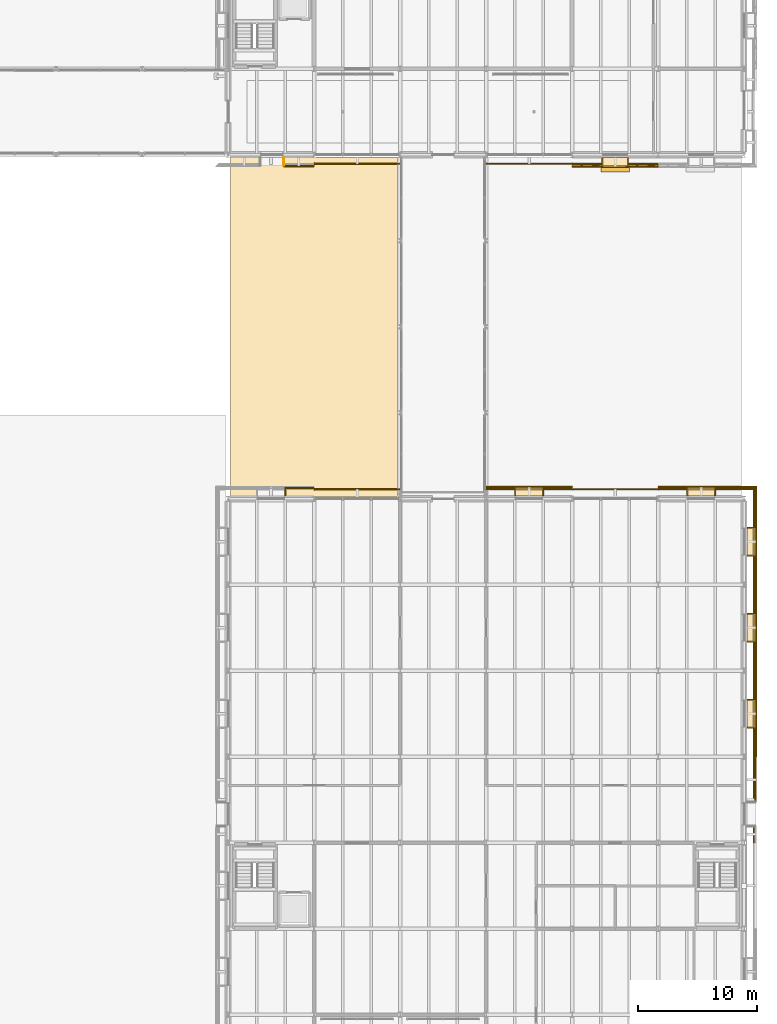
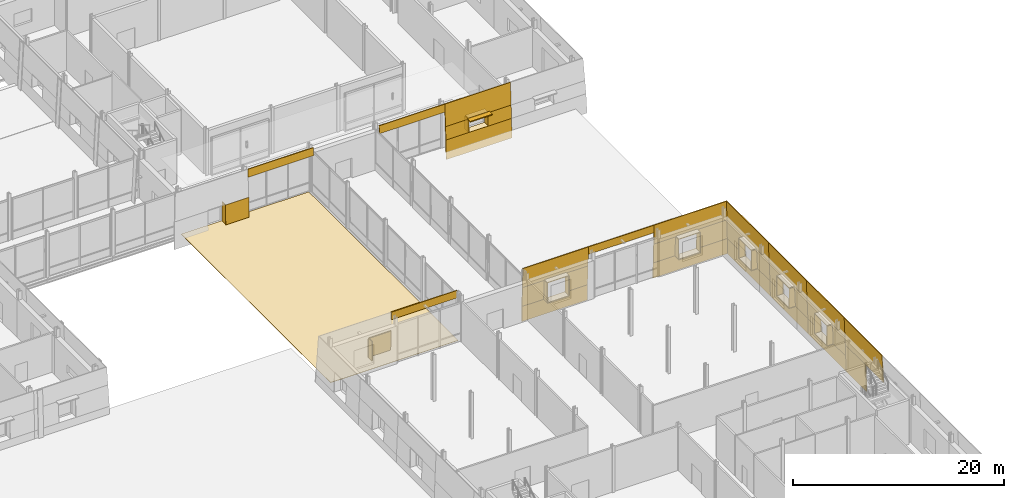
# One storey, part 117 of 120: 59 coverings, 1 shading device.
"""IFC4 building model written with IfcOpenShell, lengths in metres."""

from ifc_helpers import new_model, si_unit, direction, frame, origin, origin_2d, place, context, subcontext, project, spatial, polyline, rectangle, outline, extrude, material, layer, layer_set, type_object, element, save


model = new_model("IFC4")

# Units and contexts
model_context = context("Model", 3, precision=1e-05, world=origin(), true_north=direction((0.0, 1.0)))
body_context = subcontext(model_context, "Body", "Model", "MODEL_VIEW")
ifc_project = project(units=[si_unit("LENGTHUNIT", "METRE"), si_unit("AREAUNIT", "SQUARE_METRE"), si_unit("VOLUMEUNIT", "CUBIC_METRE"), si_unit("PLANEANGLEUNIT", "RADIAN"), si_unit("MASSUNIT", "GRAM", prefix="KILO")], contexts=[model_context])

# Site, building, storey
site_placement = place(None, origin())
site = spatial("IfcSite", under=ifc_project, at=site_placement, CompositionType="ELEMENT")
building_placement = place(site_placement, origin())
building = spatial("IfcBuilding", under=site, at=building_placement, Name="Narikvali Park Central Library", CompositionType="ELEMENT")
storey_placement = place(building_placement, origin())
storey = spatial("IfcBuildingStorey", under=building, at=storey_placement, Name="L00", CompositionType="ELEMENT", Elevation=0.0)

# Coverings
ifc_material_1 = material(Name="White Honed Limestone Cladding", Category="masonry")
ifc_layer_1 = layer(ifc_material_1, 0.0849609375, Name="White Honed Limestone Cladding")
ifc_layer_set_1 = layer_set([ifc_layer_1], Name="White Honed Limestone Cladding")
covering_type_1 = type_object("IfcCoveringType", Name="Battered White Limestone Facade Cladding Panel", PredefinedType="CLADDING", material=ifc_layer_set_1)
covering_1_placement = place(storey_placement, frame((127.037109375, 78.159912109375, -0.8798828125), z_axis=(0.0, -0.999301161828, 0.037378977647), x_axis=(1.0, 0.0, 0.0)))
element("IfcCovering", 1, at=covering_1_placement, inside=storey, type_object=covering_type_1, Name="V3 L00 S Battered Portal Pier R B01", PredefinedType="CLADDING", context=body_context, shape_type="SweptSolid", body=[
    extrude(outline(polyline([(0.0, 0.0), (2.56298828125, 0.0), (2.56298828125, 3.1220548579859955), (0.0, 3.1220548579859955), (0.0, 0.0)])), origin(), (0.0, 0.0, -1.0), 0.0849609375),
])
for number, where, z_axis, x_axis, name in (
    (2, (129.60009765625, 78.39453125, 4.5), (0.0, -0.998646123248, 0.052018463284), (1.0, 0.0, 0.0), "V3 L00 S Battered Limestone Spandrel Header B02"),
    (3, (144.0, 78.39453125, 4.5), (0.0, -0.998646123248, 0.052018463284), (1.0, 0.0, 0.0), "V3 L00 S Battered Limestone Spandrel Header B04"),
):
    element("IfcCovering", number, at=place(storey_placement, frame(where, z_axis=z_axis, x_axis=x_axis)), inside=storey, type_object=covering_type_1, Name=name, PredefinedType="CLADDING", context=body_context, shape_type="SweptSolid", body=[
        extrude(outline(polyline([(0.0, 0.0), (7.199951171875, 0.0), (7.199951171875, 0.9011223523538537), (0.0, 0.9011223523538537), (0.0, 0.0)])), origin(), (0.0, 0.0, -1.0), 0.0849609375),
    ])
covering_2_placement = place(storey_placement, frame((151.199951171875, 78.159912109375, -0.8798828125), z_axis=(0.0, -0.999499829874, 0.03162420088), x_axis=(1.0, 0.0, 0.0)))
element("IfcCovering", 4, at=covering_2_placement, inside=storey, type_object=covering_type_1, Name="V3 L00 S Battered Limestone Spandrel B05", PredefinedType="CLADDING", context=body_context, shape_type="SweptSolid", body=[
    extrude(outline(polyline([(0.0, 0.0), (7.199951171875, 0.0), (7.199951171875, 2.2310963965151207), (0.0, 2.2310963965151207), (0.0, 0.0)])), origin(), (0.0, 0.0, -1.0), 0.0849609375),
])
covering_3_placement = place(storey_placement, frame((151.199951171875, 78.30859375, 2.85009765625), z_axis=(0.0, -0.998646209492, 0.052016807542), x_axis=(1.0, 0.0, 0.0)))
element("IfcCovering", 5, at=covering_3_placement, inside=storey, type_object=covering_type_1, Name="V3 L00 S Battered Limestone Lintel B05", PredefinedType="CLADDING", context=body_context, shape_type="SweptSolid", body=[
    extrude(outline(polyline([(0.0, 0.0), (7.199951171875, 0.0), (7.199951171875, 2.5532612683689897), (0.0, 2.5532612683689897), (0.0, 0.0)])), origin(), (0.0, 0.0, -1.0), 0.0849609375),
])
covering_4_placement = place(storey_placement, frame((151.199951171875, 78.23046875, 1.35009765625), z_axis=(0.0, -0.998646416446, 0.05201283419), x_axis=(1.0, 0.0, 0.0)))
element("IfcCovering", 6, at=covering_4_placement, inside=storey, type_object=covering_type_1, Name="V3 L00 S Battered Limestone Jamb Pier L B05", PredefinedType="CLADDING", context=body_context, shape_type="SweptSolid", body=[
    extrude(outline(polyline([(0.0, 0.0), (2.56005859375, 0.0), (2.56005859375, 1.5020331273394072), (0.0, 1.5020331273394072), (0.0, 0.0)])), origin(), (0.0, 0.0, -1.0), 0.0849609375),
])
covering_5_placement = place(storey_placement, frame((155.840087890625, 78.23046875, 1.35009765625), z_axis=(0.0, -0.998646416446, 0.05201283419), x_axis=(1.0, 0.0, 0.0)))
element("IfcCovering", 7, at=covering_5_placement, inside=storey, type_object=covering_type_1, Name="V3 L00 S Battered Limestone Jamb Pier R B05", PredefinedType="CLADDING", context=body_context, shape_type="SweptSolid", body=[
    extrude(outline(polyline([(0.0, 0.0), (2.559814453125, 0.0), (2.559814453125, 1.5020331273394074), (0.0, 1.5020331273394074), (0.0, 0.0)])), origin(), (0.0, 0.0, -1.0), 0.0849609375),
])
covering_6_placement = place(storey_placement, frame((166.639892578125, 24.9599609375, -0.8798828125), z_axis=(0.999569712805, 0.0, 0.029332392386), x_axis=(0.0, 1.0, 0.0)))
element("IfcCovering", 8, at=covering_6_placement, inside=storey, type_object=covering_type_1, Name="V6 L00 E Battered Portal Pier R B04", PredefinedType="CLADDING", context=body_context, shape_type="SweptSolid", body=[
    extrude(outline(polyline([(0.0, 0.0), (3.840087890625, 0.0), (3.840087890625, 3.1212160661813586), (0.0, 3.1212160661813586), (0.0, 0.0)])), origin(), (0.0, 0.0, -1.0), 0.0849609375),
])
covering_7_placement = place(storey_placement, frame((166.54833984375, 21.60009765625, 2.239990234375), z_axis=(0.9991626518, 0.0, 0.040914487016), x_axis=(0.0, 1.0, 0.0)))
element("IfcCovering", 9, at=covering_7_placement, inside=storey, type_object=covering_type_1, Name="V6 L00 E Battered Portal Header B04", PredefinedType="CLADDING", context=body_context, shape_type="SweptSolid", body=[
    extrude(outline(polyline([(0.0, 0.0), (7.199951171875, 0.0), (7.199951171875, 3.162560273527158), (0.0, 3.162560273527158), (0.0, 0.0)])), origin(), (0.0, 0.0, -1.0), 0.0849609375),
])
covering_8_placement = place(storey_placement, frame((166.639892578125, 28.800048828125, -0.8798828125), z_axis=(0.999788378597, 0.0, 0.020571777337), x_axis=(0.0, 1.0, 0.0)))
element("IfcCovering", 10, at=covering_8_placement, inside=storey, type_object=covering_type_1, Name="V6 L00 E Battered Limestone Spandrel B05", PredefinedType="CLADDING", context=body_context, shape_type="SweptSolid", body=[
    extrude(outline(polyline([(0.0, 0.0), (7.199951171875, 0.0), (7.199951171875, 1.7801618766042835), (0.0, 1.7801618766042835), (0.0, 0.0)])), origin(), (0.0, 0.0, -1.0), 0.0849609375),
])
covering_9_placement = place(storey_placement, frame((166.510986328125, 28.800048828125, 3.14990234375), z_axis=(0.999164352475, 0.0, 0.040872934124), x_axis=(0.0, 1.0, 0.0)))
element("IfcCovering", 11, at=covering_9_placement, inside=storey, type_object=covering_type_1, Name="V6 L00 E Battered Limestone Lintel B05", PredefinedType="CLADDING", context=body_context, shape_type="SweptSolid", body=[
    extrude(outline(polyline([(0.0, 0.0), (7.199951171875, 0.0), (7.199951171875, 2.2518817794363186), (0.0, 2.2518817794363186), (0.0, 0.0)])), origin(), (0.0, 0.0, -1.0), 0.0849609375),
])
for number, where, z_axis, x_axis, name in (
    (12, (166.603271484375, 28.800048828125, 0.89990234375), (0.999159919044, 0.0, 0.040981168555), (0.0, 1.0, 0.0), "V6 L00 E Battered Limestone Jamb Pier L B05"),
    (13, (166.603271484375, 33.5400390625, 0.89990234375), (0.999159919044, 0.0, 0.040981168555), (0.0, 1.0, 0.0), "V6 L00 E Battered Limestone Jamb Pier R B05"),
):
    element("IfcCovering", number, at=place(storey_placement, frame(where, z_axis=z_axis, x_axis=x_axis)), inside=storey, type_object=covering_type_1, Name=name, PredefinedType="CLADDING", context=body_context, shape_type="SweptSolid", body=[
        extrude(outline(polyline([(0.0, 0.0), (2.4599609375, 0.0), (2.4599609375, 2.2518917713922413), (0.0, 2.2518917713922413), (0.0, 0.0)])), origin(), (0.0, 0.0, -1.0), 0.0849609375),
    ])
covering_10_placement = place(storey_placement, frame((166.639892578125, 36.0, -0.8798828125), z_axis=(0.999788378597, 0.0, 0.020571777337), x_axis=(0.0, 1.0, 0.0)))
element("IfcCovering", 14, at=covering_10_placement, inside=storey, type_object=covering_type_1, Name="V6 L00 E Battered Limestone Spandrel B06", PredefinedType="CLADDING", context=body_context, shape_type="SweptSolid", body=[
    extrude(outline(polyline([(0.0, 0.0), (7.199951171875, 0.0), (7.199951171875, 1.7801618766042835), (0.0, 1.7801618766042835), (0.0, 0.0)])), origin(), (0.0, 0.0, -1.0), 0.0849609375),
])
covering_11_placement = place(storey_placement, frame((166.510986328125, 36.0, 3.14990234375), z_axis=(0.999164352475, 0.0, 0.040872934124), x_axis=(0.0, 1.0, 0.0)))
element("IfcCovering", 15, at=covering_11_placement, inside=storey, type_object=covering_type_1, Name="V6 L00 E Battered Limestone Lintel B06", PredefinedType="CLADDING", context=body_context, shape_type="SweptSolid", body=[
    extrude(outline(polyline([(0.0, 0.0), (7.199951171875, 0.0), (7.199951171875, 2.2518817794363186), (0.0, 2.2518817794363186), (0.0, 0.0)])), origin(), (0.0, 0.0, -1.0), 0.0849609375),
])
for number, where, z_axis, x_axis, name in (
    (16, (166.603271484375, 36.0, 0.89990234375), (0.999159919044, 0.0, 0.040981168555), (0.0, 1.0, 0.0), "V6 L00 E Battered Limestone Jamb Pier L B06"),
    (17, (166.603271484375, 40.739990234375, 0.89990234375), (0.999159919044, 0.0, 0.040981168555), (0.0, 1.0, 0.0), "V6 L00 E Battered Limestone Jamb Pier R B06"),
):
    element("IfcCovering", number, at=place(storey_placement, frame(where, z_axis=z_axis, x_axis=x_axis)), inside=storey, type_object=covering_type_1, Name=name, PredefinedType="CLADDING", context=body_context, shape_type="SweptSolid", body=[
        extrude(outline(polyline([(0.0, 0.0), (2.4599609375, 0.0), (2.4599609375, 2.2518917713922413), (0.0, 2.2518917713922413), (0.0, 0.0)])), origin(), (0.0, 0.0, -1.0), 0.0849609375),
    ])
covering_12_placement = place(storey_placement, frame((166.639892578125, 43.199951171875, -0.8798828125), z_axis=(0.999788378597, 0.0, 0.020571777337), x_axis=(0.0, 1.0, 0.0)))
element("IfcCovering", 18, at=covering_12_placement, inside=storey, type_object=covering_type_1, Name="V6 L00 E Battered Limestone Spandrel B07", PredefinedType="CLADDING", context=body_context, shape_type="SweptSolid", body=[
    extrude(outline(polyline([(0.0, 0.0), (8.155029296875, 0.0), (8.1181640625, 1.7801618766042833), (0.0, 1.7801618766042833), (0.0, 0.0)])), origin(), (0.0, 0.0, -1.0), 0.0849609375),
])
covering_13_placement = place(storey_placement, frame((166.510986328125, 43.199951171875, 3.14990234375), z_axis=(0.999164352475, 0.0, 0.040872934124), x_axis=(0.0, 1.0, 0.0)))
element("IfcCovering", 19, at=covering_13_placement, inside=storey, type_object=covering_type_1, Name="V6 L00 E Battered Limestone Lintel B07", PredefinedType="CLADDING", context=body_context, shape_type="SweptSolid", body=[
    extrude(outline(polyline([(0.0, 0.0), (8.026123046875, 0.0), (7.93408203125, 2.251881779436319), (0.0, 2.251881779436319), (0.0, 0.0)])), origin(), (0.0, 0.0, -1.0), 0.0849609375),
])
covering_14_placement = place(storey_placement, frame((166.603271484375, 43.199951171875, 0.89990234375), z_axis=(0.999159919044, 0.0, 0.040981168555), x_axis=(0.0, 1.0, 0.0)))
element("IfcCovering", 20, at=covering_14_placement, inside=storey, type_object=covering_type_1, Name="V6 L00 E Battered Limestone Jamb Pier L B07", PredefinedType="CLADDING", context=body_context, shape_type="SweptSolid", body=[
    extrude(outline(polyline([(0.0, 0.0), (2.4599609375, 0.0), (2.4599609375, 2.2518917713922413), (0.0, 2.2518917713922413), (0.0, 0.0)])), origin(), (0.0, 0.0, -1.0), 0.0849609375),
])
covering_15_placement = place(storey_placement, frame((166.603271484375, 47.93994140625, 0.89990234375), z_axis=(0.999159919044, 0.0, 0.040981168555), x_axis=(0.0, 1.0, 0.0)))
element("IfcCovering", 21, at=covering_15_placement, inside=storey, type_object=covering_type_1, Name="V6 L00 E Battered Limestone Jamb Pier R B07", PredefinedType="CLADDING", context=body_context, shape_type="SweptSolid", body=[
    extrude(outline(polyline([(0.0, 0.0), (3.378173828125, 0.0), (3.2861328125, 2.2518917713922413), (0.0, 2.2518917713922413), (0.0, 0.0)])), origin(), (0.0, 0.0, -1.0), 0.0849609375),
])
covering_16_placement = place(storey_placement, frame((166.639892578125, 51.43994140625, -0.8798828125), z_axis=(0.0, 0.999788378597, 0.020571777337), x_axis=(-1.0, 0.0, 0.0)))
element("IfcCovering", 22, at=covering_16_placement, inside=storey, type_object=covering_type_1, Name="V6 L00 N Battered Limestone Spandrel B01", PredefinedType="CLADDING", context=body_context, shape_type="SweptSolid", body=[
    extrude(outline(polyline([(0.0, 0.0), (8.239990234375, 0.0), (8.239990234375, 1.7801618766042833), (0.03662109375, 1.7801618766042833), (0.0, 0.0)])), origin(), (0.0, 0.0, -1.0), 0.0849609375),
])
covering_17_placement = place(storey_placement, frame((166.510986328125, 51.31103515625, 3.14990234375), z_axis=(0.0, 0.999164352475, 0.040872934124), x_axis=(-1.0, 0.0, 0.0)))
element("IfcCovering", 23, at=covering_17_placement, inside=storey, type_object=covering_type_1, Name="V6 L00 N Battered Limestone Lintel B01", PredefinedType="CLADDING", context=body_context, shape_type="SweptSolid", body=[
    extrude(outline(polyline([(0.0, 0.0), (8.111083984375, 0.0), (8.111083984375, 2.2518817794363186), (0.092041015625, 2.2518817794363186), (0.0, 0.0)])), origin(), (0.0, 0.0, -1.0), 0.0849609375),
])
covering_18_placement = place(storey_placement, frame((166.603271484375, 51.4033203125, 0.89990234375), z_axis=(0.0, 0.999159919044, 0.040981168555), x_axis=(-1.0, 0.0, 0.0)))
element("IfcCovering", 24, at=covering_18_placement, inside=storey, type_object=covering_type_1, Name="V6 L00 N Battered Limestone Jamb Pier L B01", PredefinedType="CLADDING", context=body_context, shape_type="SweptSolid", body=[
    extrude(outline(polyline([(0.0, 0.0), (3.46337890625, 0.0), (3.46337890625, 2.2518917713922413), (0.09228515625, 2.2518917713922413), (0.0, 0.0)])), origin(), (0.0, 0.0, -1.0), 0.0849609375),
])
covering_19_placement = place(storey_placement, frame((160.860107421875, 51.4033203125, 0.89990234375), z_axis=(0.0, 0.999159919044, 0.040981168555), x_axis=(-1.0, 0.0, 0.0)))
element("IfcCovering", 25, at=covering_19_placement, inside=storey, type_object=covering_type_1, Name="V6 L00 N Battered Limestone Jamb Pier R B01", PredefinedType="CLADDING", context=body_context, shape_type="SweptSolid", body=[
    extrude(outline(polyline([(0.0, 0.0), (2.460205078125, 0.0), (2.460205078125, 2.2518917713922413), (0.0, 2.2518917713922413), (0.0, 0.0)])), origin(), (0.0, 0.0, -1.0), 0.0849609375),
])
covering_20_placement = place(storey_placement, frame((158.39990234375, 51.255859375, 4.5), z_axis=(0.0, 0.999161955591, 0.04093148543), x_axis=(-1.0, 0.0, 0.0)))
element("IfcCovering", 26, at=covering_20_placement, inside=storey, type_object=covering_type_1, Name="V6 L00 N Battered Limestone Spandrel Header B02", PredefinedType="CLADDING", context=body_context, shape_type="SweptSolid", body=[
    extrude(outline(polyline([(0.0, 0.0), (7.199951171875, 0.0), (7.199951171875, 0.9006571344258962), (0.0, 0.9006571344258962), (0.0, 0.0)])), origin(), (0.0, 0.0, -1.0), 0.0849609375),
])
covering_21_placement = place(storey_placement, frame((151.199951171875, 51.43994140625, -0.8798828125), z_axis=(0.0, 0.999788378597, 0.020571777337), x_axis=(-1.0, 0.0, 0.0)))
element("IfcCovering", 27, at=covering_21_placement, inside=storey, type_object=covering_type_1, Name="V6 L00 N Battered Limestone Spandrel B03", PredefinedType="CLADDING", context=body_context, shape_type="SweptSolid", body=[
    extrude(outline(polyline([(0.0, 0.0), (7.199951171875, 0.0), (7.199951171875, 1.7801618766042835), (0.0, 1.7801618766042835), (0.0, 0.0)])), origin(), (0.0, 0.0, -1.0), 0.0849609375),
])
covering_22_placement = place(storey_placement, frame((151.199951171875, 51.31103515625, 3.14990234375), z_axis=(0.0, 0.999164352475, 0.040872934124), x_axis=(-1.0, 0.0, 0.0)))
element("IfcCovering", 28, at=covering_22_placement, inside=storey, type_object=covering_type_1, Name="V6 L00 N Battered Limestone Lintel B03", PredefinedType="CLADDING", context=body_context, shape_type="SweptSolid", body=[
    extrude(outline(polyline([(0.0, 0.0), (7.199951171875, 0.0), (7.199951171875, 2.2518817794363186), (0.0, 2.2518817794363186), (0.0, 0.0)])), origin(), (0.0, 0.0, -1.0), 0.0849609375),
])
for number, where, z_axis, x_axis, name in (
    (29, (151.199951171875, 51.4033203125, 0.89990234375), (0.0, 0.999159919044, 0.040981168555), (-1.0, 0.0, 0.0), "V6 L00 N Battered Limestone Jamb Pier L B03"),
    (30, (146.4599609375, 51.4033203125, 0.89990234375), (0.0, 0.999159919044, 0.040981168555), (-1.0, 0.0, 0.0), "V6 L00 N Battered Limestone Jamb Pier R B03"),
):
    element("IfcCovering", number, at=place(storey_placement, frame(where, z_axis=z_axis, x_axis=x_axis)), inside=storey, type_object=covering_type_1, Name=name, PredefinedType="CLADDING", context=body_context, shape_type="SweptSolid", body=[
        extrude(outline(polyline([(0.0, 0.0), (2.4599609375, 0.0), (2.4599609375, 2.2518917713922413), (0.0, 2.2518917713922413), (0.0, 0.0)])), origin(), (0.0, 0.0, -1.0), 0.0849609375),
    ])
covering_23_placement = place(storey_placement, frame((136.800048828125, 51.255859375, 4.5), z_axis=(0.0, 0.999161955591, 0.04093148543), x_axis=(-1.0, 0.0, 0.0)))
element("IfcCovering", 31, at=covering_23_placement, inside=storey, type_object=covering_type_1, Name="V6 L00 N Battered Limestone Spandrel Header B05", PredefinedType="CLADDING", context=body_context, shape_type="SweptSolid", body=[
    extrude(outline(polyline([(0.0, 0.0), (7.199951171875, 0.0), (7.199951171875, 0.9006571344258962), (0.0, 0.9006571344258962), (0.0, 0.0)])), origin(), (0.0, 0.0, -1.0), 0.0849609375),
])
covering_24_placement = place(storey_placement, frame((129.60009765625, 51.4033203125, 0.89990234375), z_axis=(0.0, 0.999159919044, 0.040981168555), x_axis=(-1.0, 0.0, 0.0)))
element("IfcCovering", 32, at=covering_24_placement, inside=storey, type_object=covering_type_1, Name="V6 L00 N Battered Limestone Jamb Pier L B06", PredefinedType="CLADDING", context=body_context, shape_type="SweptSolid", body=[
    extrude(outline(polyline([(0.0, 0.0), (2.460205078125, 0.0), (2.460205078125, 2.2518917713922413), (0.0, 2.2518917713922413), (0.0, 0.0)])), origin(), (0.0, 0.0, -1.0), 0.0849609375),
])

# Shading device
ifc_material_2 = material(Name="Anodised Bronze Aluminium", Category="aluminium")
ifc_layer_2 = layer(ifc_material_2, 0.1201171875, Name="Anodised Bronze Aluminium")
ifc_layer_set_2 = layer_set([ifc_layer_2], Name="Anodised Bronze Aluminium")
shading_device_type = type_object("IfcShadingDeviceType", Name="Bronze Classical Cornice Sun Brise-Soleil 650", PredefinedType="SHUTTER", material=ifc_layer_set_2)
shading_device_placement = place(storey_placement, frame((154.800048828125, 78.068603515625, 2.849853515625), z_axis=(0.0, 0.0, 1.0), x_axis=(1.0, 0.0, 0.0)))
element("IfcShadingDevice", 33, at=shading_device_placement, inside=storey, type_object=shading_device_type, Name="V3 L00 Classical Bronze Brise-Soleil 05", PredefinedType="SHUTTER", context=body_context, shape_type="SweptSolid", body=[
    extrude(rectangle(XDim=2.39990234375, YDim=0.64990234375, at=origin_2d()), origin(), (0.0, 0.0, 1.0), 0.1201171875),
])

# Coverings
ifc_layer_3 = layer(ifc_material_1, 0.080078125, Name="White Honed Limestone Cladding")
ifc_layer_set_3 = layer_set([ifc_layer_3], Name="White Honed Limestone Cladding")
covering_type_2 = type_object("IfcCoveringType", Name="Deep Carved White Limestone Window Reveal", PredefinedType="CLADDING", material=ifc_layer_set_3)
covering_25_placement = place(storey_placement, frame((0.0, 0.0, 0.02001953125)))
element("IfcCovering", 34, at=covering_25_placement, inside=storey, type_object=covering_type_2, Name="Deep Stone Reveal Jamb R V3-RVL-L00-S-B01", PredefinedType="CLADDING", context=body_context, shape_type="SweptSolid", body=[
    extrude(outline(polyline([(127.037109375, 78.955078125), (127.116943359375, 78.955078125), (127.116943359375, 78.276611328125), (127.037109375, 78.276611328125), (127.037109375, 78.955078125)])), origin(), (0.0, 0.0, 1.0), 2.219970703125),
])
covering_26_placement = place(storey_placement, frame((0.0, 0.0, 2.85009765625)))
element("IfcCovering", 35, at=covering_26_placement, inside=storey, type_object=covering_type_2, Name="Deep Stone Reveal Head V3-RVL-L00-S-B05", PredefinedType="CLADDING", context=body_context, shape_type="SweptSolid", body=[
    extrude(outline(polyline([(153.719970703125, 78.955078125), (155.8798828125, 78.955078125), (155.8798828125, 78.30859375), (153.719970703125, 78.30859375), (153.719970703125, 78.955078125)])), origin(), (0.0, 0.0, 1.0), 0.079833984375),
])
covering_27_placement = place(storey_placement, frame((0.0, 0.0, 1.27001953125)))
element("IfcCovering", 36, at=covering_27_placement, inside=storey, type_object=covering_type_2, Name="Deep Stone Reveal Sill V3-RVL-L00-S-B05", PredefinedType="CLADDING", context=body_context, shape_type="SweptSolid", body=[
    extrude(outline(polyline([(153.719970703125, 78.955078125), (155.8798828125, 78.955078125), (155.8798828125, 78.23046875), (153.719970703125, 78.23046875), (153.719970703125, 78.955078125)])), origin(), (0.0, 0.0, 1.0), 0.080078125),
])
covering_28_placement = place(storey_placement, frame((0.0, 0.0, 1.35009765625)))
element("IfcCovering", 37, at=covering_28_placement, inside=storey, type_object=covering_type_2, Name="Deep Stone Reveal Jamb L V3-RVL-L00-S-B05", PredefinedType="CLADDING", context=body_context, shape_type="SweptSolid", body=[
    extrude(outline(polyline([(153.679931640625, 78.955078125), (153.760009765625, 78.955078125), (153.760009765625, 78.30859375), (153.679931640625, 78.30859375), (153.679931640625, 78.955078125)])), origin(), (0.0, 0.0, 1.0), 1.5),
])
covering_29_placement = place(storey_placement, frame((0.0, 0.0, 1.35009765625)))
element("IfcCovering", 38, at=covering_29_placement, inside=storey, type_object=covering_type_2, Name="Deep Stone Reveal Jamb R V3-RVL-L00-S-B05", PredefinedType="CLADDING", context=body_context, shape_type="SweptSolid", body=[
    extrude(outline(polyline([(155.840087890625, 78.955078125), (155.919921875, 78.955078125), (155.919921875, 78.30859375), (155.840087890625, 78.30859375), (155.840087890625, 78.955078125)])), origin(), (0.0, 0.0, 1.0), 1.5),
])
covering_30_placement = place(storey_placement, frame((0.0, 0.0, 3.14990234375)))
element("IfcCovering", 39, at=covering_30_placement, inside=storey, type_object=covering_type_2, Name="Deep Stone Reveal Head V6-RVL-L00-E-B05", PredefinedType="CLADDING", context=body_context, shape_type="SweptSolid", body=[
    extrude(outline(polyline([(165.844970703125, 31.219970703125), (165.844970703125, 33.580078125), (166.510986328125, 33.580078125), (166.510986328125, 31.219970703125), (165.844970703125, 31.219970703125)])), origin(), (0.0, 0.0, 1.0), 0.080078125),
])
covering_31_placement = place(storey_placement, frame((0.0, 0.0, 0.820068359375)))
element("IfcCovering", 40, at=covering_31_placement, inside=storey, type_object=covering_type_2, Name="Deep Stone Reveal Sill V6-RVL-L00-E-B05", PredefinedType="CLADDING", context=body_context, shape_type="SweptSolid", body=[
    extrude(outline(polyline([(165.844970703125, 31.219970703125), (165.844970703125, 33.580078125), (166.603271484375, 33.580078125), (166.603271484375, 31.219970703125), (165.844970703125, 31.219970703125)])), origin(), (0.0, 0.0, 1.0), 0.079833984375),
])
covering_32_placement = place(storey_placement, frame((0.0, 0.0, 0.89990234375)))
element("IfcCovering", 41, at=covering_32_placement, inside=storey, type_object=covering_type_2, Name="Deep Stone Reveal Jamb L V6-RVL-L00-E-B05", PredefinedType="CLADDING", context=body_context, shape_type="SweptSolid", body=[
    extrude(outline(polyline([(165.844970703125, 31.179931640625), (165.844970703125, 31.260009765625), (166.510986328125, 31.260009765625), (166.510986328125, 31.179931640625), (165.844970703125, 31.179931640625)])), origin(), (0.0, 0.0, 1.0), 2.25),
])
covering_33_placement = place(storey_placement, frame((0.0, 0.0, 0.89990234375)))
element("IfcCovering", 42, at=covering_33_placement, inside=storey, type_object=covering_type_2, Name="Deep Stone Reveal Jamb R V6-RVL-L00-E-B05", PredefinedType="CLADDING", context=body_context, shape_type="SweptSolid", body=[
    extrude(outline(polyline([(165.844970703125, 33.5400390625), (165.844970703125, 33.6201171875), (166.510986328125, 33.6201171875), (166.510986328125, 33.5400390625), (165.844970703125, 33.5400390625)])), origin(), (0.0, 0.0, 1.0), 2.25),
])
covering_34_placement = place(storey_placement, frame((0.0, 0.0, 3.14990234375)))
element("IfcCovering", 43, at=covering_34_placement, inside=storey, type_object=covering_type_2, Name="Deep Stone Reveal Head V6-RVL-L00-E-B06", PredefinedType="CLADDING", context=body_context, shape_type="SweptSolid", body=[
    extrude(outline(polyline([(165.844970703125, 38.419921875), (165.844970703125, 40.780029296875), (166.510986328125, 40.780029296875), (166.510986328125, 38.419921875), (165.844970703125, 38.419921875)])), origin(), (0.0, 0.0, 1.0), 0.080078125),
])
covering_35_placement = place(storey_placement, frame((0.0, 0.0, 0.820068359375)))
element("IfcCovering", 44, at=covering_35_placement, inside=storey, type_object=covering_type_2, Name="Deep Stone Reveal Sill V6-RVL-L00-E-B06", PredefinedType="CLADDING", context=body_context, shape_type="SweptSolid", body=[
    extrude(outline(polyline([(165.844970703125, 38.419921875), (165.844970703125, 40.780029296875), (166.603271484375, 40.780029296875), (166.603271484375, 38.419921875), (165.844970703125, 38.419921875)])), origin(), (0.0, 0.0, 1.0), 0.079833984375),
])
covering_36_placement = place(storey_placement, frame((0.0, 0.0, 0.89990234375)))
element("IfcCovering", 45, at=covering_36_placement, inside=storey, type_object=covering_type_2, Name="Deep Stone Reveal Jamb L V6-RVL-L00-E-B06", PredefinedType="CLADDING", context=body_context, shape_type="SweptSolid", body=[
    extrude(outline(polyline([(165.844970703125, 38.3798828125), (165.844970703125, 38.4599609375), (166.510986328125, 38.4599609375), (166.510986328125, 38.3798828125), (165.844970703125, 38.3798828125)])), origin(), (0.0, 0.0, 1.0), 2.25),
])
covering_37_placement = place(storey_placement, frame((0.0, 0.0, 0.89990234375)))
element("IfcCovering", 46, at=covering_37_placement, inside=storey, type_object=covering_type_2, Name="Deep Stone Reveal Jamb R V6-RVL-L00-E-B06", PredefinedType="CLADDING", context=body_context, shape_type="SweptSolid", body=[
    extrude(outline(polyline([(165.844970703125, 40.739990234375), (165.844970703125, 40.820068359375), (166.510986328125, 40.820068359375), (166.510986328125, 40.739990234375), (165.844970703125, 40.739990234375)])), origin(), (0.0, 0.0, 1.0), 2.25),
])
covering_38_placement = place(storey_placement, frame((0.0, 0.0, 3.14990234375)))
element("IfcCovering", 47, at=covering_38_placement, inside=storey, type_object=covering_type_2, Name="Deep Stone Reveal Head V6-RVL-L00-E-B07", PredefinedType="CLADDING", context=body_context, shape_type="SweptSolid", body=[
    extrude(outline(polyline([(165.844970703125, 45.6201171875), (165.844970703125, 47.97998046875), (166.510986328125, 47.97998046875), (166.510986328125, 45.6201171875), (165.844970703125, 45.6201171875)])), origin(), (0.0, 0.0, 1.0), 0.080078125),
])
covering_39_placement = place(storey_placement, frame((0.0, 0.0, 0.820068359375)))
element("IfcCovering", 48, at=covering_39_placement, inside=storey, type_object=covering_type_2, Name="Deep Stone Reveal Sill V6-RVL-L00-E-B07", PredefinedType="CLADDING", context=body_context, shape_type="SweptSolid", body=[
    extrude(outline(polyline([(165.844970703125, 45.6201171875), (165.844970703125, 47.97998046875), (166.603271484375, 47.97998046875), (166.603271484375, 45.6201171875), (165.844970703125, 45.6201171875)])), origin(), (0.0, 0.0, 1.0), 0.079833984375),
])
covering_40_placement = place(storey_placement, frame((0.0, 0.0, 0.89990234375)))
element("IfcCovering", 49, at=covering_40_placement, inside=storey, type_object=covering_type_2, Name="Deep Stone Reveal Jamb L V6-RVL-L00-E-B07", PredefinedType="CLADDING", context=body_context, shape_type="SweptSolid", body=[
    extrude(outline(polyline([(165.844970703125, 45.580078125), (165.844970703125, 45.659912109375), (166.510986328125, 45.659912109375), (166.510986328125, 45.580078125), (165.844970703125, 45.580078125)])), origin(), (0.0, 0.0, 1.0), 2.25),
])
covering_41_placement = place(storey_placement, frame((0.0, 0.0, 0.89990234375)))
element("IfcCovering", 50, at=covering_41_placement, inside=storey, type_object=covering_type_2, Name="Deep Stone Reveal Jamb R V6-RVL-L00-E-B07", PredefinedType="CLADDING", context=body_context, shape_type="SweptSolid", body=[
    extrude(outline(polyline([(165.844970703125, 47.93994140625), (165.844970703125, 48.02001953125), (166.510986328125, 48.02001953125), (166.510986328125, 47.93994140625), (165.844970703125, 47.93994140625)])), origin(), (0.0, 0.0, 1.0), 2.25),
])
covering_42_placement = place(storey_placement, frame((0.0, 0.0, 3.14990234375)))
element("IfcCovering", 51, at=covering_42_placement, inside=storey, type_object=covering_type_2, Name="Deep Stone Reveal Head V6-RVL-L00-N-B01", PredefinedType="CLADDING", context=body_context, shape_type="SweptSolid", body=[
    extrude(outline(polyline([(163.179931640625, 50.64501953125), (160.820068359375, 50.64501953125), (160.820068359375, 51.31103515625), (163.179931640625, 51.31103515625), (163.179931640625, 50.64501953125)])), origin(), (0.0, 0.0, 1.0), 0.080078125),
])
covering_43_placement = place(storey_placement, frame((0.0, 0.0, 0.820068359375)))
element("IfcCovering", 52, at=covering_43_placement, inside=storey, type_object=covering_type_2, Name="Deep Stone Reveal Sill V6-RVL-L00-N-B01", PredefinedType="CLADDING", context=body_context, shape_type="SweptSolid", body=[
    extrude(outline(polyline([(163.179931640625, 50.64501953125), (160.820068359375, 50.64501953125), (160.820068359375, 51.4033203125), (163.179931640625, 51.4033203125), (163.179931640625, 50.64501953125)])), origin(), (0.0, 0.0, 1.0), 0.079833984375),
])
covering_44_placement = place(storey_placement, frame((0.0, 0.0, 0.89990234375)))
element("IfcCovering", 53, at=covering_44_placement, inside=storey, type_object=covering_type_2, Name="Deep Stone Reveal Jamb L V6-RVL-L00-N-B01", PredefinedType="CLADDING", context=body_context, shape_type="SweptSolid", body=[
    extrude(outline(polyline([(163.219970703125, 50.64501953125), (163.139892578125, 50.64501953125), (163.139892578125, 51.31103515625), (163.219970703125, 51.31103515625), (163.219970703125, 50.64501953125)])), origin(), (0.0, 0.0, 1.0), 2.25),
])
covering_45_placement = place(storey_placement, frame((0.0, 0.0, 0.89990234375)))
element("IfcCovering", 54, at=covering_45_placement, inside=storey, type_object=covering_type_2, Name="Deep Stone Reveal Jamb R V6-RVL-L00-N-B01", PredefinedType="CLADDING", context=body_context, shape_type="SweptSolid", body=[
    extrude(outline(polyline([(160.860107421875, 50.64501953125), (160.780029296875, 50.64501953125), (160.780029296875, 51.31103515625), (160.860107421875, 51.31103515625), (160.860107421875, 50.64501953125)])), origin(), (0.0, 0.0, 1.0), 2.25),
])
covering_46_placement = place(storey_placement, frame((0.0, 0.0, 3.14990234375)))
element("IfcCovering", 55, at=covering_46_placement, inside=storey, type_object=covering_type_2, Name="Deep Stone Reveal Head V6-RVL-L00-N-B03", PredefinedType="CLADDING", context=body_context, shape_type="SweptSolid", body=[
    extrude(outline(polyline([(148.780029296875, 50.64501953125), (146.419921875, 50.64501953125), (146.419921875, 51.31103515625), (148.780029296875, 51.31103515625), (148.780029296875, 50.64501953125)])), origin(), (0.0, 0.0, 1.0), 0.080078125),
])
covering_47_placement = place(storey_placement, frame((0.0, 0.0, 0.820068359375)))
element("IfcCovering", 56, at=covering_47_placement, inside=storey, type_object=covering_type_2, Name="Deep Stone Reveal Sill V6-RVL-L00-N-B03", PredefinedType="CLADDING", context=body_context, shape_type="SweptSolid", body=[
    extrude(outline(polyline([(148.780029296875, 50.64501953125), (146.419921875, 50.64501953125), (146.419921875, 51.4033203125), (148.780029296875, 51.4033203125), (148.780029296875, 50.64501953125)])), origin(), (0.0, 0.0, 1.0), 0.079833984375),
])
covering_48_placement = place(storey_placement, frame((0.0, 0.0, 0.89990234375)))
element("IfcCovering", 57, at=covering_48_placement, inside=storey, type_object=covering_type_2, Name="Deep Stone Reveal Jamb L V6-RVL-L00-N-B03", PredefinedType="CLADDING", context=body_context, shape_type="SweptSolid", body=[
    extrude(outline(polyline([(148.820068359375, 50.64501953125), (148.739990234375, 50.64501953125), (148.739990234375, 51.31103515625), (148.820068359375, 51.31103515625), (148.820068359375, 50.64501953125)])), origin(), (0.0, 0.0, 1.0), 2.25),
])
covering_49_placement = place(storey_placement, frame((0.0, 0.0, 0.89990234375)))
element("IfcCovering", 58, at=covering_49_placement, inside=storey, type_object=covering_type_2, Name="Deep Stone Reveal Jamb R V6-RVL-L00-N-B03", PredefinedType="CLADDING", context=body_context, shape_type="SweptSolid", body=[
    extrude(outline(polyline([(146.4599609375, 50.64501953125), (146.3798828125, 50.64501953125), (146.3798828125, 51.31103515625), (146.4599609375, 51.31103515625), (146.4599609375, 50.64501953125)])), origin(), (0.0, 0.0, 1.0), 2.25),
])
covering_50_placement = place(storey_placement, frame((0.0, 0.0, 0.89990234375)))
element("IfcCovering", 59, at=covering_50_placement, inside=storey, type_object=covering_type_2, Name="Deep Stone Reveal Jamb L V6-RVL-L00-N-B06", PredefinedType="CLADDING", context=body_context, shape_type="SweptSolid", body=[
    extrude(outline(polyline([(127.219970703125, 50.64501953125), (127.139892578125, 50.64501953125), (127.139892578125, 51.31103515625), (127.219970703125, 51.31103515625), (127.219970703125, 50.64501953125)])), origin(), (0.0, 0.0, 1.0), 2.25),
])
ifc_material_3 = material(Name="Polished Georgian Basalt Terrazzo", Category="masonry")
ifc_layer_4 = layer(ifc_material_3, 0.0400390625, Name="Polished Georgian Basalt Terrazzo")
ifc_layer_set_4 = layer_set([ifc_layer_4], Name="Polished Georgian Basalt Terrazzo")
covering_type_3 = type_object("IfcCoveringType", Name="Polished Basalt Terrazzo Floor Finish", PredefinedType="FLOORING", material=ifc_layer_set_4)
covering_51_placement = place(storey_placement, frame((0.0, 0.0, -0.0400390625)))
element("IfcCovering", 60, at=covering_51_placement, inside=storey, type_object=covering_type_3, Name="Cloister West Stone Paving", PredefinedType="FLOORING", context=body_context, shape_type="SweptSolid", body=[
    extrude(outline(polyline([(122.60009765625, 50.60009765625), (136.60009765625, 50.60009765625), (136.60009765625, 79.0), (122.60009765625, 79.0), (122.60009765625, 50.60009765625)])), origin(), (0.0, 0.0, 1.0), 0.0400390625),
])

save(model, "model.ifc")
